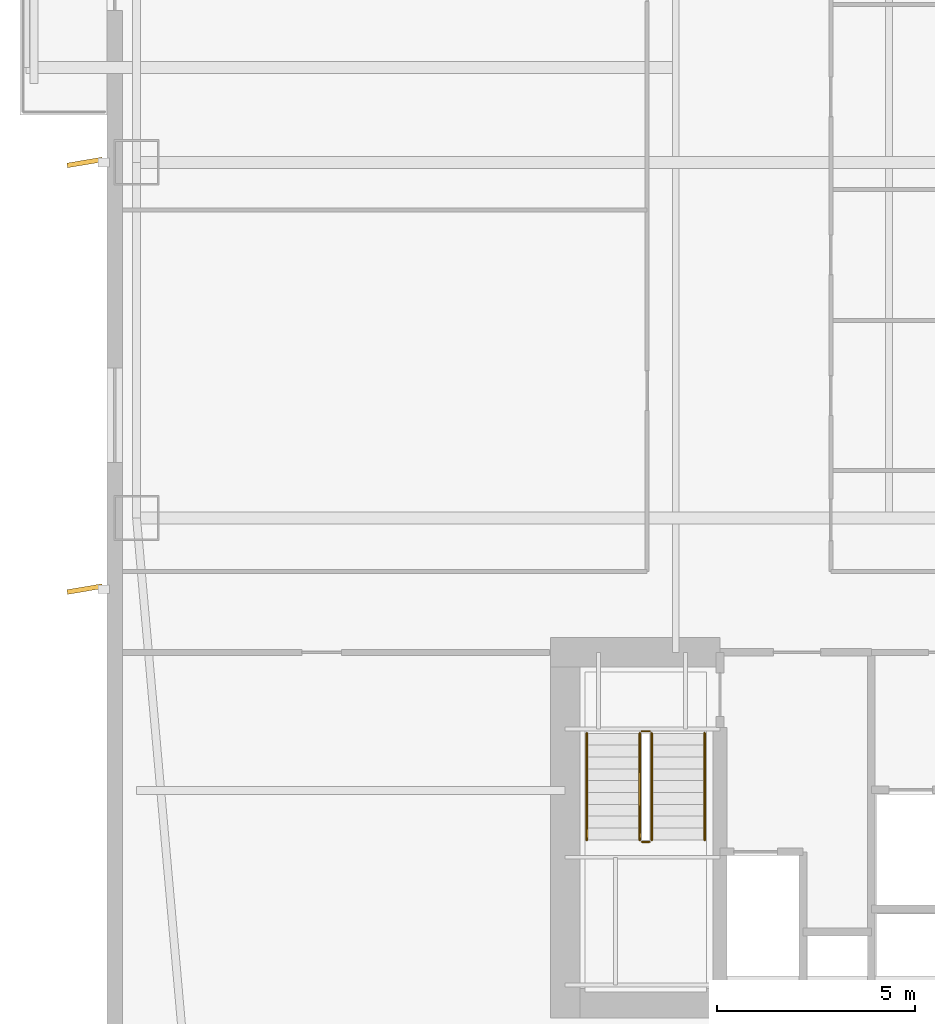
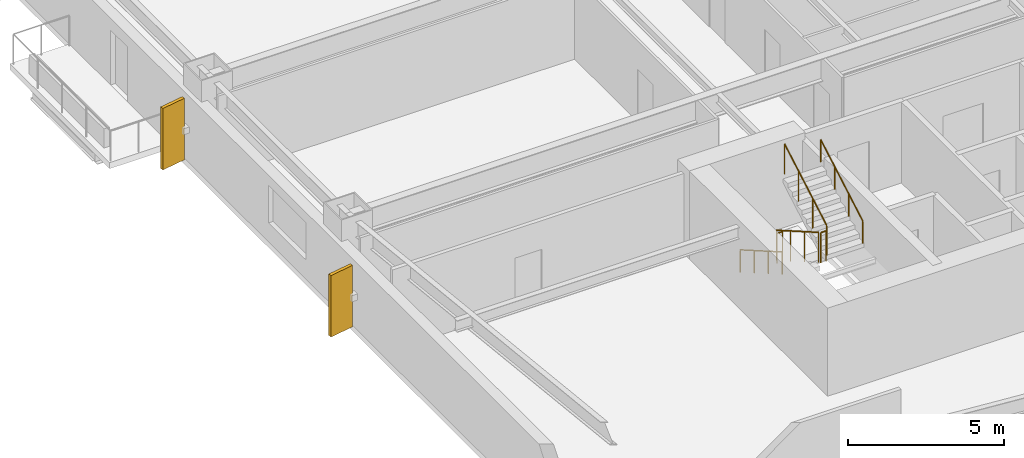
# One storey, part 15 of 19: 6 railings, 2 shading devices.
"""IFC4 building model written with IfcOpenShell, lengths in metres."""

from ifc_helpers import new_model, si_unit, direction, frame, origin, origin_2d, place, context, subcontext, project, spatial, rectangle, circle, extrude, material, layer, layer_set, type_object, element, save


model = new_model("IFC4")

# Units and contexts
model_context = context("Model", 3, precision=1e-05, world=origin(), true_north=direction((0.0, 1.0)))
body_context = subcontext(model_context, "Body", "Model", "MODEL_VIEW")
ifc_project = project(units=[si_unit("LENGTHUNIT", "METRE"), si_unit("AREAUNIT", "SQUARE_METRE"), si_unit("VOLUMEUNIT", "CUBIC_METRE"), si_unit("PLANEANGLEUNIT", "RADIAN"), si_unit("MASSUNIT", "GRAM", prefix="KILO")], contexts=[model_context])

# Site, building, storey
site_placement = place(None, origin())
site = spatial("IfcSite", under=ifc_project, at=site_placement, CompositionType="ELEMENT")
building_placement = place(site_placement, origin())
building = spatial("IfcBuilding", under=site, at=building_placement, Name="Qiaolan Cultural Towers", CompositionType="ELEMENT")
storey_placement = place(building_placement, frame((0.0, 0.0, 78.199951171875)))
storey = spatial("IfcBuildingStorey", under=building, at=storey_placement, Name="L19", CompositionType="ELEMENT", Elevation=78.199951171875)

# Railings
ifc_material_1 = material(Name="Galvanized Painted Steel Stair Guardrail", Category="steel")
railing_type_1 = type_object("IfcRailingType", Name="RL-STAIR-GRD", PredefinedType="GUARDRAIL", material=ifc_material_1)
railing_1_placement = place(storey_placement, frame((23.68994140625, 19.550048828125, 0.172607421875)))
element("IfcRailing", 1, at=railing_1_placement, inside=storey, type_object=railing_type_1, Name="L19 ST-W1 stair guard 1", PredefinedType="GUARDRAIL", context=body_context, shape_type="SweptSolid", body=[
    extrude(circle(Radius=0.02392578125, at=origin_2d()), frame((0.0, 0.0, 1.17578125), z_axis=(0.0, -0.866903762492, 0.498475542607), x_axis=(1.0, 0.0, 0.0)), (0.0, 0.0, 1.0), 3.114501953125),
    extrude(circle(Radius=0.02099609375, at=origin_2d()), origin(), (0.0, 0.0, 1.0), 1.15185546875),
    extrude(circle(Radius=0.02099609375, at=origin_2d()), frame((0.0, -0.89990234375, 0.517578125)), (0.0, 0.0, 1.0), 1.15185546875),
    extrude(circle(Radius=0.02099609375, at=origin_2d()), frame((0.0, -1.800048828125, 1.034912109375)), (0.0, 0.0, 1.0), 1.15185546875),
    extrude(circle(Radius=0.02099609375, at=origin_2d()), frame((0.0, -2.699951171875, 1.552490234375)), (0.0, 0.0, 1.0), 1.15185546875),
])
railing_2_placement = place(storey_placement, frame((23.739990234375, 16.800048828125, 1.72509765625)))
element("IfcRailing", 2, at=railing_2_placement, inside=storey, type_object=railing_type_1, Name="L19 ST-W1 stair guard 2", PredefinedType="GUARDRAIL", context=body_context, shape_type="SweptSolid", body=[
    extrude(circle(Radius=0.02392578125, at=origin_2d()), frame((0.0, 0.0, 1.17578125), z_axis=(1.0, 0.0, 0.0), x_axis=(0.0, 1.0, 0.0)), (0.0, 0.0, 1.0), 0.199951171875),
    extrude(circle(Radius=0.02099609375, at=origin_2d()), origin(), (0.0, 0.0, 1.0), 1.15185546875),
    extrude(circle(Radius=0.02099609375, at=origin_2d()), frame((0.199951171875, 0.0, 0.0)), (0.0, 0.0, 1.0), 1.15185546875),
])
railing_3_placement = place(storey_placement, frame((23.989990234375, 16.85009765625, 1.8974609375)))
element("IfcRailing", 3, at=railing_3_placement, inside=storey, type_object=railing_type_1, Name="L19 ST-W1 stair guard 3", PredefinedType="GUARDRAIL", context=body_context, shape_type="SweptSolid", body=[
    extrude(circle(Radius=0.02392578125, at=origin_2d()), frame((0.0, 0.0, 1.17578125), z_axis=(0.0, 0.866903762492, 0.498475542607), x_axis=(-1.0, 0.0, 0.0)), (0.0, 0.0, 1.0), 3.114501953125),
    extrude(circle(Radius=0.02099609375, at=origin_2d()), origin(), (0.0, 0.0, 1.0), 1.15185546875),
    extrude(circle(Radius=0.02099609375, at=origin_2d()), frame((0.0, 0.89990234375, 0.517578125)), (0.0, 0.0, 1.0), 1.15185546875),
    extrude(circle(Radius=0.02099609375, at=origin_2d()), frame((0.0, 1.800048828125, 1.034912109375)), (0.0, 0.0, 1.0), 1.15185546875),
    extrude(circle(Radius=0.02099609375, at=origin_2d()), frame((0.0, 2.699951171875, 1.552490234375)), (0.0, 0.0, 1.0), 1.15185546875),
])
railing_4_placement = place(storey_placement, frame((23.739990234375, 19.60009765625, 0.0)))
element("IfcRailing", 4, at=railing_4_placement, inside=storey, type_object=railing_type_1, Name="L19 ST-W1 stair guard 4", PredefinedType="GUARDRAIL", context=body_context, shape_type="SweptSolid", body=[
    extrude(circle(Radius=0.02392578125, at=origin_2d()), frame((0.0, 0.0, 1.17578125), z_axis=(1.0, 0.0, 0.0), x_axis=(0.0, 1.0, 0.0)), (0.0, 0.0, 1.0), 0.199951171875),
    extrude(circle(Radius=0.02099609375, at=origin_2d()), origin(), (0.0, 0.0, 1.0), 1.15185546875),
    extrude(circle(Radius=0.02099609375, at=origin_2d()), frame((0.199951171875, 0.0, 0.0)), (0.0, 0.0, 1.0), 1.15185546875),
])
ifc_material_2 = material(Name="Stainless Steel S30408 Tubular Handrail", Category="steel")
railing_type_2 = type_object("IfcRailingType", Name="RL-STAIR-HR", PredefinedType="HANDRAIL", material=ifc_material_2)
railing_5_placement = place(storey_placement, frame((22.35009765625, 19.550048828125, 0.172607421875)))
element("IfcRailing", 5, at=railing_5_placement, inside=storey, type_object=railing_type_2, Name="L19 ST-W1 stair handrail 1", PredefinedType="HANDRAIL", context=body_context, shape_type="SweptSolid", body=[
    extrude(circle(Radius=0.02392578125, at=origin_2d()), frame((0.0, 0.0, 0.8759765625), z_axis=(0.0, -0.866903762492, 0.498475542607), x_axis=(1.0, 0.0, 0.0)), (0.0, 0.0, 1.0), 3.114501953125),
    extrude(circle(Radius=0.02099609375, at=origin_2d()), origin(), (0.0, 0.0, 1.0), 0.851806640625),
    extrude(circle(Radius=0.02099609375, at=origin_2d()), frame((0.0, -0.89990234375, 0.517578125)), (0.0, 0.0, 1.0), 0.851806640625),
    extrude(circle(Radius=0.02099609375, at=origin_2d()), frame((0.0, -1.800048828125, 1.034912109375)), (0.0, 0.0, 1.0), 0.851806640625),
    extrude(circle(Radius=0.02099609375, at=origin_2d()), frame((0.0, -2.699951171875, 1.552490234375)), (0.0, 0.0, 1.0), 0.851806640625),
])
railing_6_placement = place(storey_placement, frame((25.330078125, 16.85009765625, 1.8974609375)))
element("IfcRailing", 6, at=railing_6_placement, inside=storey, type_object=railing_type_2, Name="L19 ST-W1 stair handrail 2", PredefinedType="HANDRAIL", context=body_context, shape_type="SweptSolid", body=[
    extrude(circle(Radius=0.02392578125, at=origin_2d()), frame((0.0, 0.0, 0.8759765625), z_axis=(0.0, 0.866903762492, 0.498475542607), x_axis=(-1.0, 0.0, 0.0)), (0.0, 0.0, 1.0), 3.114501953125),
    extrude(circle(Radius=0.02099609375, at=origin_2d()), origin(), (0.0, 0.0, 1.0), 0.851806640625),
    extrude(circle(Radius=0.02099609375, at=origin_2d()), frame((0.0, 0.89990234375, 0.517578125)), (0.0, 0.0, 1.0), 0.851806640625),
    extrude(circle(Radius=0.02099609375, at=origin_2d()), frame((0.0, 1.800048828125, 1.034912109375)), (0.0, 0.0, 1.0), 0.851806640625),
    extrude(circle(Radius=0.02099609375, at=origin_2d()), frame((0.0, 2.699951171875, 1.552490234375)), (0.0, 0.0, 1.0), 0.851806640625),
])

# Shading devices
ifc_material_3 = material(Name="Dark Basalt Honed Precast Terracotta Fin", Category="masonry")
ifc_layer = layer(ifc_material_3, 0.1201171875)
ifc_layer_set = layer_set([ifc_layer], Name="Dark Basalt Honed Precast Terracotta Fin")
shading_device_type = type_object("IfcShadingDeviceType", Name="SHD-FIN-DARK", PredefinedType="USERDEFINED", material=ifc_layer_set)
for number, where, z_axis, x_axis, name in (
    (7, (9.639892578125, 23.199951171875, 0.10009765625), (0.0, 0.0, 1.0), (0.98587406802, 0.167488274236, 0.0), "L19 T1 Expressive Precast Vertical Fin W1"),
    (8, (9.639892578125, 34.0, 0.10009765625), (0.0, 0.0, 1.0), (0.98587406802, 0.167488274236, 0.0), "L19 T1 Expressive Precast Vertical Fin W2"),
):
    element("IfcShadingDevice", number, at=place(storey_placement, frame(where, z_axis=z_axis, x_axis=x_axis)), inside=storey, type_object=shading_device_type, Name=name, ObjectType="FIN", PredefinedType="USERDEFINED", context=body_context, shape_type="SweptSolid", body=[
        extrude(rectangle(XDim=0.89990234375, YDim=0.1201171875, at=origin_2d()), origin(), (0.0, 0.0, 1.0), 2.409912109375),
    ])

save(model, "model.ifc")
